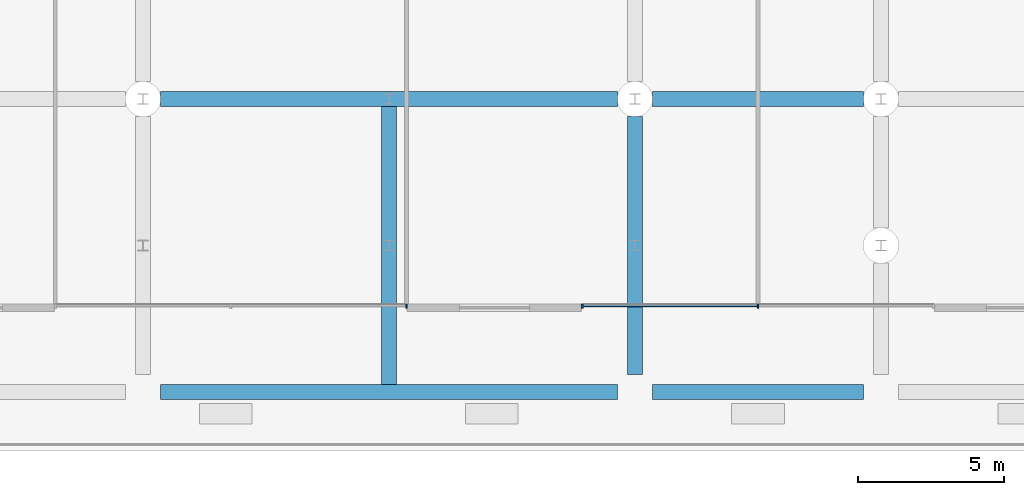
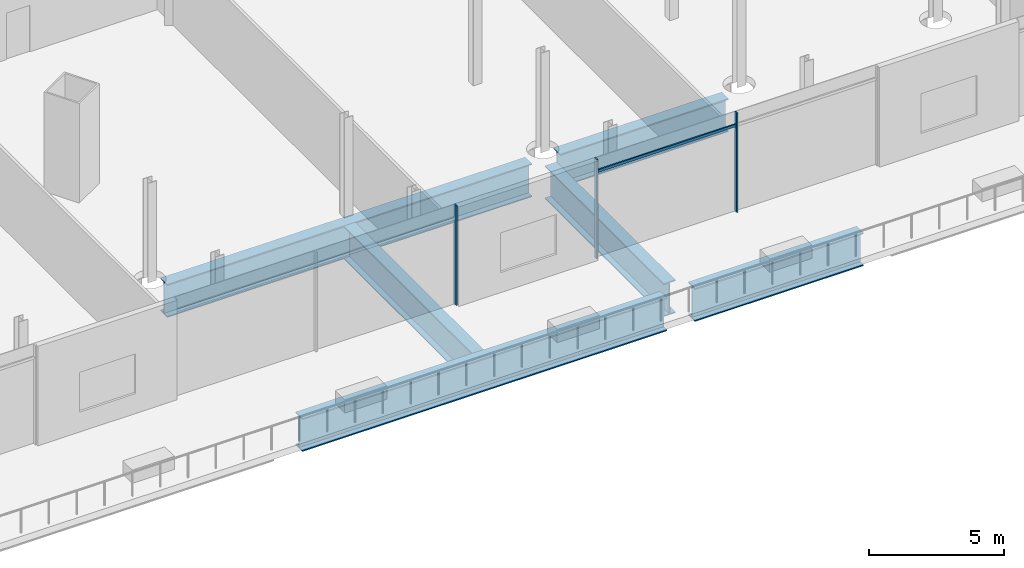
# One storey, part 16 of 56: 6 beams, 4 members, 1 element without a shape of its own.
"""IFC4 building model written with IfcOpenShell, lengths in metres."""

from ifc_helpers import new_model, si_unit, direction, frame, origin, origin_2d, place, context, subcontext, project, spatial, rectangle, i_section, extrude, material, material_profile, profile_set, type_object, element, aggregate, save


model = new_model("IFC4")

# Units and contexts
model_context = context("Model", 3, precision=1e-05, world=origin(), true_north=direction((0.0, 1.0)))
body_context = subcontext(model_context, "Body", "Model", "MODEL_VIEW")
ifc_project = project(units=[si_unit("LENGTHUNIT", "METRE"), si_unit("AREAUNIT", "SQUARE_METRE"), si_unit("VOLUMEUNIT", "CUBIC_METRE"), si_unit("PLANEANGLEUNIT", "RADIAN"), si_unit("MASSUNIT", "GRAM", prefix="KILO")], contexts=[model_context])

# Site, building, storey
site_placement = place(None, origin())
site = spatial("IfcSite", under=ifc_project, at=site_placement, CompositionType="ELEMENT")
building_placement = place(site_placement, origin())
building = spatial("IfcBuilding", under=site, at=building_placement, Name="Rimbun Link Towers", CompositionType="ELEMENT")
storey_placement = place(building_placement, frame((0.0, 0.0, 16.5)))
storey = spatial("IfcBuildingStorey", under=building, at=storey_placement, Name="L03", CompositionType="ELEMENT", Elevation=16.5)

# Curtain wall, members
ifc_material_1 = material(Name="Aluminium 6063-T6 and low-iron glass", Category="aluminium")
curtain_wall_type = type_object("IfcCurtainWallType", Name="CW3 podium shopfront", PredefinedType="NOTDEFINED", material=ifc_material_1)
curtain_wall_placement = place(storey_placement, origin())
curtain_wall = element("IfcCurtainWall", 1, at=curtain_wall_placement, inside=storey, type_object=curtain_wall_type, Name="CW3 L03 PD", PredefinedType="NOTDEFINED")
ifc_material_2 = material(Name="Aluminium 6063-T6", Category="aluminium")
ifc_material_profile_1 = material_profile(ifc_material_2, rectangle(XDim=0.14990234375, YDim=0.06005859375, at=origin_2d()), Name="MULLION 60X150")
ifc_profile_set_1 = profile_set([ifc_material_profile_1], Name="Aluminium 6063-T6")
member_type_1 = type_object("IfcMemberType", Name="CW3 mullion 60X150", PredefinedType="MULLION", material=ifc_profile_set_1)
member_1_placement = place(storey_placement, frame((-12.0, -33.074951171875, 0.0), z_axis=(0.0, 0.0, 1.0), x_axis=(0.0, -1.0, 0.0)))
member_1 = element("IfcMember", 2, at=member_1_placement, type_object=member_type_1, Name="CW3 mullion", PredefinedType="MULLION", context=body_context, shape_type="SweptSolid", body=[
    extrude(rectangle(XDim=0.14990234375, YDim=0.06005859375, at=origin_2d()), origin(), (0.0, 0.0, 1.0), 4.5),
])
member_2_placement = place(storey_placement, frame((-6.0, -33.074951171875, 0.0), z_axis=(0.0, 0.0, 1.0), x_axis=(0.0, -1.0, 0.0)))
member_2 = element("IfcMember", 3, at=member_2_placement, type_object=member_type_1, Name="CW3 mullion", PredefinedType="MULLION", context=body_context, shape_type="SweptSolid", body=[
    extrude(rectangle(XDim=0.14990234375, YDim=0.06005859375, at=origin_2d()), origin(), (0.0, 0.0, 1.0), 4.5),
])
member_3_placement = place(storey_placement, frame((0.0, -33.074951171875, 0.0), z_axis=(0.0, 0.0, 1.0), x_axis=(0.0, -1.0, 0.0)))
member_3 = element("IfcMember", 4, at=member_3_placement, type_object=member_type_1, Name="CW3 mullion", PredefinedType="MULLION", context=body_context, shape_type="SweptSolid", body=[
    extrude(rectangle(XDim=0.14990234375, YDim=0.06005859375, at=origin_2d()), origin(), (0.0, 0.0, 1.0), 4.5),
])
ifc_material_3 = material(Name="Aluminium 6063-T6", Category="aluminium")
ifc_material_profile_2 = material_profile(ifc_material_3, rectangle(XDim=0.06005859375, YDim=0.1201171875, at=origin_2d()), Name="TRANSOM 60X120")
ifc_profile_set_2 = profile_set([ifc_material_profile_2], Name="Aluminium 6063-T6")
member_type_2 = type_object("IfcMemberType", Name="CW3 transom 60X120", PredefinedType="USERDEFINED", material=ifc_profile_set_2)
member_4_placement = place(storey_placement, frame((-0.030029296875, -33.053955078125, 3.89990234375), z_axis=(-1.0, 0.0, 0.0), x_axis=(0.0, -1.0, 0.0)))
member_4 = element("IfcMember", 5, at=member_4_placement, type_object=member_type_2, Name="CW3 transom", ObjectType="TRANSOM", PredefinedType="USERDEFINED", context=body_context, shape_type="SweptSolid", body=[
    extrude(rectangle(XDim=0.06005859375, YDim=0.1201171875, at=origin_2d()), origin(), (0.0, 0.0, 1.0), 5.93994140625),
])
aggregate(curtain_wall, [member_1, member_2, member_3, member_4])

# Beams
ifc_material_4 = material(Name="Steel S355J2", Category="steel")
ifc_material_profile_3 = material_profile(ifc_material_4, i_section(OverallWidth=0.5, OverallDepth=1.5, WebThickness=0.030029296875, FlangeThickness=0.050048828125, at=origin_2d()), Name="PG 1500x500x30/50")
ifc_profile_set_3 = profile_set([ifc_material_profile_3], Name="Steel S355J2")
beam_type = type_object("IfcBeamType", Name="PG 1500x500x30/50", PredefinedType="BEAM", material=ifc_profile_set_3)
beam_1_placement = place(storey_placement, frame((-20.39990234375, -36.0, -1.050048828125), z_axis=(1.0, 0.0, 0.0), x_axis=(0.0, 1.0, 0.0)))
element("IfcBeam", 6, at=beam_1_placement, inside=storey, type_object=beam_type, Name="Grid beam L03 -36.0", PredefinedType="BEAM", context=body_context, shape_type="SweptSolid", body=[
    extrude(i_section(OverallWidth=0.5, OverallDepth=1.5, WebThickness=0.030029296875, FlangeThickness=0.050048828125, at=origin_2d()), origin(), (0.0, 0.0, 1.0), 15.599853515625),
])
beam_2_placement = place(storey_placement, frame((-3.60009765625, -36.0, -1.050048828125), z_axis=(1.0, 0.0, 0.0), x_axis=(0.0, 1.0, 0.0)))
element("IfcBeam", 7, at=beam_2_placement, inside=storey, type_object=beam_type, Name="Grid beam L03 -36.0", PredefinedType="BEAM", context=body_context, shape_type="SweptSolid", body=[
    extrude(i_section(OverallWidth=0.5, OverallDepth=1.5, WebThickness=0.030029296875, FlangeThickness=0.050048828125, at=origin_2d()), origin(), (0.0, 0.0, 1.0), 7.2001953125),
])
beam_3_placement = place(storey_placement, frame((-20.39990234375, -26.0, -1.050048828125), z_axis=(1.0, 0.0, 0.0), x_axis=(0.0, 1.0, 0.0)))
element("IfcBeam", 8, at=beam_3_placement, inside=storey, type_object=beam_type, Name="Grid beam L03 -26.0", PredefinedType="BEAM", context=body_context, shape_type="SweptSolid", body=[
    extrude(i_section(OverallWidth=0.5, OverallDepth=1.5, WebThickness=0.030029296875, FlangeThickness=0.050048828125, at=origin_2d()), origin(), (0.0, 0.0, 1.0), 15.599853515625),
])
beam_4_placement = place(storey_placement, frame((-3.60009765625, -26.0, -1.050048828125), z_axis=(1.0, 0.0, 0.0), x_axis=(0.0, 1.0, 0.0)))
element("IfcBeam", 9, at=beam_4_placement, inside=storey, type_object=beam_type, Name="Grid beam L03 -26.0", PredefinedType="BEAM", context=body_context, shape_type="SweptSolid", body=[
    extrude(i_section(OverallWidth=0.5, OverallDepth=1.5, WebThickness=0.030029296875, FlangeThickness=0.050048828125, at=origin_2d()), origin(), (0.0, 0.0, 1.0), 7.2001953125),
])
beam_5_placement = place(storey_placement, frame((-12.60009765625, -35.75, -1.050048828125), z_axis=(0.0, 1.0, 0.0), x_axis=(-1.0, 0.0, 0.0)))
element("IfcBeam", 10, at=beam_5_placement, inside=storey, type_object=beam_type, Name="Grid beam L03 -12.6", PredefinedType="BEAM", context=body_context, shape_type="SweptSolid", body=[
    extrude(i_section(OverallWidth=0.5, OverallDepth=1.5, WebThickness=0.030029296875, FlangeThickness=0.050048828125, at=origin_2d()), origin(), (0.0, 0.0, 1.0), 9.5),
])
beam_6_placement = place(storey_placement, frame((-4.199951171875, -35.39990234375, -1.050048828125), z_axis=(0.0, 1.0, 0.0), x_axis=(-1.0, 0.0, 0.0)))
element("IfcBeam", 11, at=beam_6_placement, inside=storey, type_object=beam_type, Name="Grid beam L03 -4.2", PredefinedType="BEAM", context=body_context, shape_type="SweptSolid", body=[
    extrude(i_section(OverallWidth=0.5, OverallDepth=1.5, WebThickness=0.030029296875, FlangeThickness=0.050048828125, at=origin_2d()), origin(), (0.0, 0.0, 1.0), 8.7998046875),
])

save(model, "model.ifc")
